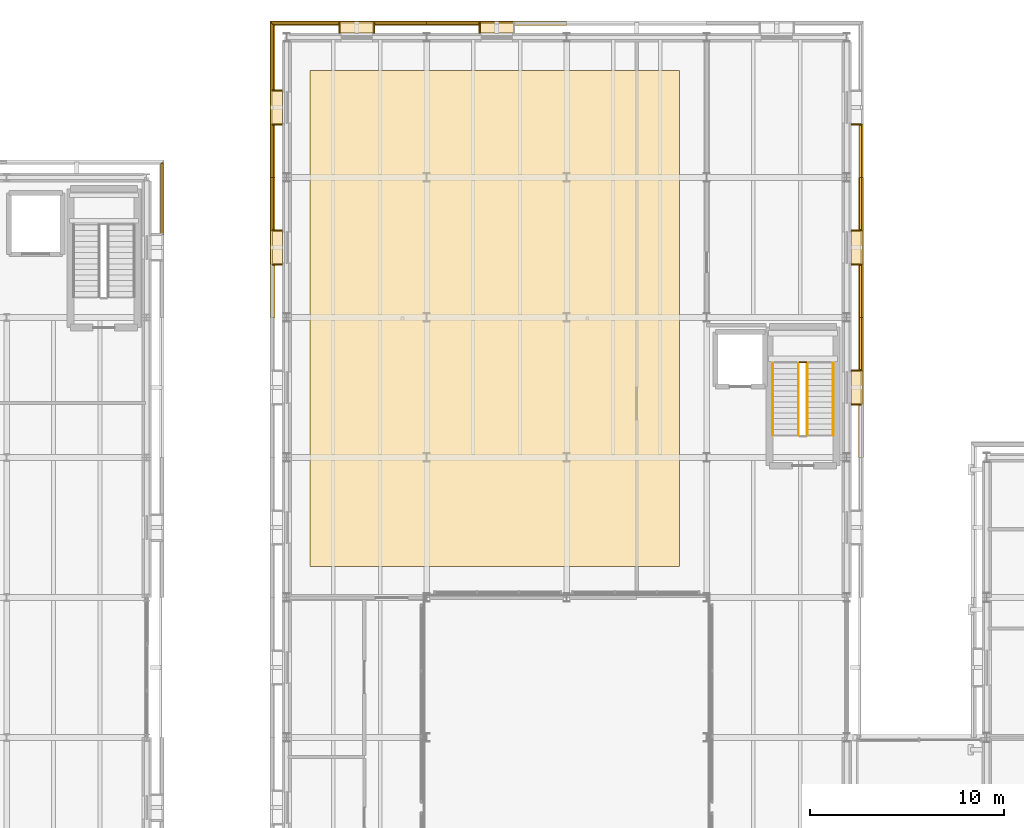
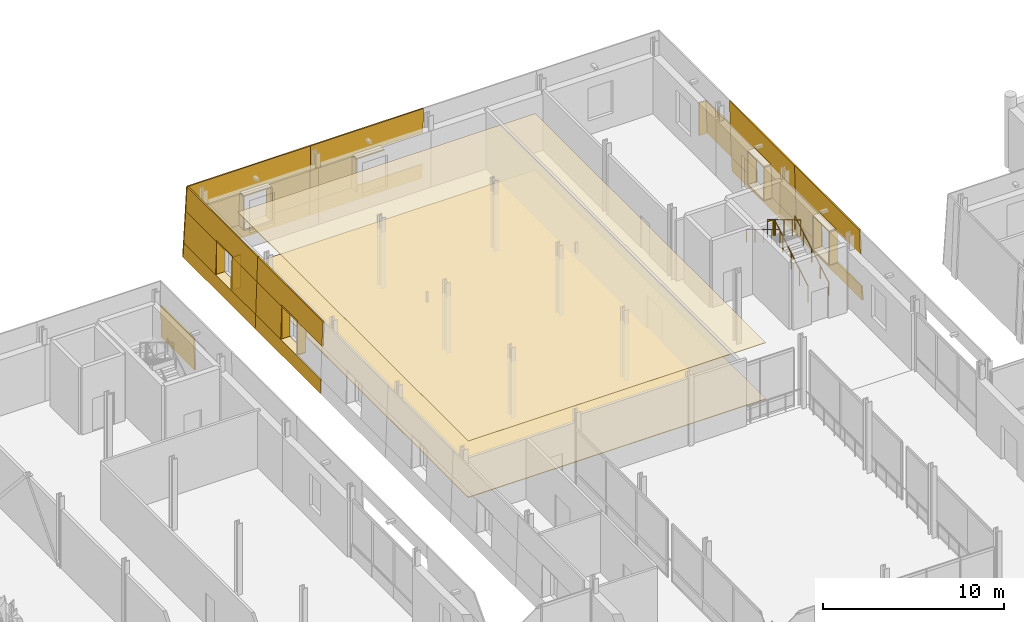
# One storey, part 111 of 121: 48 coverings, 5 railings.
"""IFC4 building model written with IfcOpenShell, lengths in metres."""

import ifcopenshell
import ifcopenshell.guid

model = None  # the IFC model being written
_history = None  # IfcOwnerHistory: only IFC2X3 demands one
_inside = {}  # id of a spatial element -> (the spatial element, [elements in it])
_under = {}  # id of a project, library or spatial element -> (it, [spatial elements below it])
_declared = {}  # id of a project -> (the project, [libraries it declares])
_typed = {}  # id of a type object -> (the type object, [elements of that type])
_made_of = {}  # id of a material, layer set ... -> (it, [elements and type objects made of it])


def new_model(schema):
    """Start an empty IFC model of exactly this schema.

    Asked for "IFC4X3", IfcOpenShell would pick the latest addendum, in which some entities
    have other attributes; the version numbers below select the first issue.
    IFC2X3 requires an IfcOwnerHistory on every rooted entity: one is made here for all.
    """
    global model, _history
    if schema == "IFC4X3":
        model = ifcopenshell.file(schema_version=(4, 3, 0, 0))
    else:
        model = ifcopenshell.file(schema=schema)
    _inside.clear()
    _under.clear()
    _declared.clear()
    _typed.clear()
    _made_of.clear()
    _history = None
    if model.schema == "IFC2X3":
        org = make("IfcOrganization", Name="unknown")
        user = make(
            "IfcPersonAndOrganization",
            ThePerson=make("IfcPerson", FamilyName="unknown"),
            TheOrganization=org,
        )
        app = make(
            "IfcApplication",
            ApplicationDeveloper=org,
            Version="unknown",
            ApplicationFullName="unknown",
            ApplicationIdentifier="unknown",
        )
        _history = make(
            "IfcOwnerHistory",
            OwningUser=user,
            OwningApplication=app,
            ChangeAction="ADDED",
            CreationDate=0,
        )
    return model


def make(cls, **values):
    """One entity of the class cls with the attributes given. An attribute that is None is left unset."""
    return model.create_entity(
        cls, **{name: value for name, value in values.items() if value is not None}
    )


def rooted(cls, **values):
    """An entity with a GlobalId (a new one), such as an element, a storey or a relation."""
    return make(cls, GlobalId=ifcopenshell.guid.new(), OwnerHistory=_history, **values)


def si_unit(unit_type, name, prefix=None):
    """IfcSIUnit, for example si_unit("LENGTHUNIT", "METRE", prefix="MILLI")."""
    return make("IfcSIUnit", UnitType=unit_type, Prefix=prefix, Name=name)


def assignment(units):
    """IfcUnitAssignment: the units of a project."""
    return None if units is None else make("IfcUnitAssignment", Units=units)


def point(xyz):
    """IfcCartesianPoint."""
    return None if xyz is None else make("IfcCartesianPoint", Coordinates=xyz)


def direction(xyz):
    """IfcDirection."""
    return None if xyz is None else make("IfcDirection", DirectionRatios=xyz)


def frame(location, z_axis=None, x_axis=None):
    """IfcAxis2Placement3D, a coordinate frame: its origin and axes. An axis left out is left unset."""
    return make(
        "IfcAxis2Placement3D",
        Location=point(location),
        Axis=direction(z_axis),
        RefDirection=direction(x_axis),
    )


def frame_2d(location, x_axis=None):
    """IfcAxis2Placement2D, a coordinate frame in the plane: its origin and x axis."""
    return make(
        "IfcAxis2Placement2D", Location=point(location), RefDirection=direction(x_axis)
    )


def origin():
    """The frame at (0, 0, 0) with its axes left unset."""
    return frame((0.0, 0.0, 0.0))


def origin_2d():
    """The frame at (0, 0) in the plane with its x axis left unset."""
    return frame_2d((0.0, 0.0))


def place(relative_to, where):
    """IfcLocalPlacement: puts the frame where relative to a parent placement (None: the world)."""
    return make(
        "IfcLocalPlacement", PlacementRelTo=relative_to, RelativePlacement=where
    )


def context(
    kind, dimensions, precision=None, world=None, true_north=None, identifier=None
):
    """IfcGeometricRepresentationContext, for example the 3D "Model" context."""
    return make(
        "IfcGeometricRepresentationContext",
        ContextIdentifier=identifier,
        ContextType=kind,
        CoordinateSpaceDimension=dimensions,
        Precision=precision,
        WorldCoordinateSystem=world,
        TrueNorth=true_north,
    )


def subcontext(parent, identifier, kind, view, scale=None):
    """IfcGeometricRepresentationSubContext, for example "Body" below "Model"."""
    return make(
        "IfcGeometricRepresentationSubContext",
        ContextIdentifier=identifier,
        ContextType=kind,
        ParentContext=parent,
        TargetScale=scale,
        TargetView=view,
    )


def project(units=None, contexts=None):
    """IfcProject with its units and contexts."""
    return rooted(
        "IfcProject",
        Name="project",
        RepresentationContexts=contexts,
        UnitsInContext=assignment(units),
    )


def spatial(cls, under=None, at=None, **own):
    """A site, building, storey or space (cls), placed at a placement, below another one or the project."""
    s = rooted(cls, ObjectPlacement=at, **own)
    if under is not None:
        _under.setdefault(under.id(), (under, []))[1].append(s)
    return s


def polyline(points):
    """IfcPolyline through the points."""
    return make("IfcPolyline", Points=[point(p) for p in points])


def profile(cls, at=None, kind="AREA", **sizes):
    """A parametric profile (cls). Its sizes go by their IFC names, for example OverallWidth=200.0."""
    return make(cls, ProfileType=kind, Position=at, **sizes)


def circle(**sizes):
    """IfcCircleProfileDef."""
    return profile("IfcCircleProfileDef", **sizes)


def outline(outer, holes=None, kind="AREA"):
    """IfcArbitraryClosedProfileDef: a profile drawn as a closed curve; with holes, ...WithVoids."""
    if holes is None:
        return make("IfcArbitraryClosedProfileDef", ProfileType=kind, OuterCurve=outer)
    return make(
        "IfcArbitraryProfileDefWithVoids",
        ProfileType=kind,
        OuterCurve=outer,
        InnerCurves=holes,
    )


def extrude(swept, where, along, depth):
    """IfcExtrudedAreaSolid: the profile swept, set in the frame where, extruded along a direction by depth."""
    return make(
        "IfcExtrudedAreaSolid",
        SweptArea=swept,
        Position=where,
        ExtrudedDirection=direction(along),
        Depth=depth,
    )


def shape(context_of_items, identifier, shape_type, items):
    """IfcShapeRepresentation: the items that make up one representation, for example the "Body"."""
    return make(
        "IfcShapeRepresentation",
        ContextOfItems=context_of_items,
        RepresentationIdentifier=identifier,
        RepresentationType=shape_type,
        Items=items,
    )


def material(Name=None, Category=None):
    """IfcMaterial."""
    return make("IfcMaterial", Name=Name, Category=Category)


def layer(
    of_material, thickness, ventilated=None, Name=None, Category=None, Priority=None
):
    """IfcMaterialLayer: one layer of a wall or slab, of a material (None: an air gap)."""
    return make(
        "IfcMaterialLayer",
        Material=of_material,
        LayerThickness=thickness,
        IsVentilated=ventilated,
        Name=Name,
        Category=Category,
        Priority=Priority,
    )


def layer_set(layers, Name=None):
    """IfcMaterialLayerSet."""
    return make("IfcMaterialLayerSet", MaterialLayers=layers, LayerSetName=Name)


def made_of(thing, what):
    """Note that an element or type object is made of a material, layer set ...; save() writes the relation."""
    if what is not None:
        _made_of.setdefault(what.id(), (what, []))[1].append(thing)
    return thing


def type_object(cls, material=None, **own):
    """A type object (cls), such as IfcWallType, which elements share."""
    return made_of(rooted(cls, **own), material)


def element(
    cls,
    number,
    at=None,
    inside=None,
    cuts=None,
    type_object=None,
    material=None,
    context=None,
    identifier="Body",
    shape_type=None,
    held_by="IfcProductDefinitionShape",
    body=None,
    shapes=None,
    **own,
):
    """One element of the class cls, such as IfcWall. Its Tag is "e" and its number.

    at: its placement. inside: the storey or other place that contains it. cuts: it is an
    opening in that element (IfcRelVoidsElement). A single representation is given by context,
    identifier, shape_type and body (its items); several are given by shapes. held_by: the class
    of the entity that holds the representations. save() writes the other relations.
    """
    e = rooted(cls, Tag="e%d" % number, ObjectPlacement=at, **own)
    if body is not None:
        shapes = [shape(context, identifier, shape_type, body)]
    if shapes is not None:
        e.Representation = make(held_by, Representations=shapes)
    if inside is not None:
        _inside.setdefault(inside.id(), (inside, []))[1].append(e)
    if cuts is not None:
        rooted(
            "IfcRelVoidsElement", RelatingBuildingElement=cuts, RelatedOpeningElement=e
        )
    if type_object is not None:
        _typed.setdefault(type_object.id(), (type_object, []))[1].append(e)
    return made_of(e, material)


def aggregate(whole, parts):
    """IfcRelAggregates: a whole, such as a stair, and the parts it consists of."""
    return rooted("IfcRelAggregates", RelatingObject=whole, RelatedObjects=parts)


def save(model, path):
    """Write the relations noted so far, then the file.

    IfcRelAggregates (storeys below a building ...), IfcRelContainedInSpatialStructure (elements
    in a storey), IfcRelDefinesByType, IfcRelAssociatesMaterial and IfcRelDeclares: one each for
    every whole, place, type object, material and project.
    """
    for whole, parts in _under.values():
        aggregate(whole, parts)
    for where, things in _inside.values():
        rooted(
            "IfcRelContainedInSpatialStructure",
            RelatedElements=things,
            RelatingStructure=where,
        )
    for kind, things in _typed.values():
        rooted("IfcRelDefinesByType", RelatedObjects=things, RelatingType=kind)
    for what, things in _made_of.values():
        rooted("IfcRelAssociatesMaterial", RelatedObjects=things, RelatingMaterial=what)
    for by, libraries in _declared.values():
        rooted("IfcRelDeclares", RelatingContext=by, RelatedDefinitions=libraries)
    model.write(path)


model = new_model("IFC4")

# Units and contexts
model_context = context("Model", 3, precision=1e-05, world=origin(), true_north=direction((0.0, 1.0)))
body_context = subcontext(model_context, "Body", "Model", "MODEL_VIEW")
ifc_project = project(units=[si_unit("LENGTHUNIT", "METRE"), si_unit("AREAUNIT", "SQUARE_METRE"), si_unit("VOLUMEUNIT", "CUBIC_METRE"), si_unit("PLANEANGLEUNIT", "RADIAN"), si_unit("MASSUNIT", "GRAM", prefix="KILO")], contexts=[model_context])

# Site, building, storey
site_placement = place(None, origin())
site = spatial("IfcSite", under=ifc_project, at=site_placement, CompositionType="ELEMENT")
building_placement = place(site_placement, origin())
building = spatial("IfcBuilding", under=site, at=building_placement, Name="Narikvali Park Central Library", CompositionType="ELEMENT")
storey_placement = place(building_placement, frame((0.0, 0.0, 5.39990234375)))
storey = spatial("IfcBuildingStorey", under=building, at=storey_placement, Name="L01", CompositionType="ELEMENT", Elevation=5.39990234375)

# Coverings
ifc_material_1 = material(Name="White Honed Limestone Cladding", Category="masonry")
ifc_layer_1 = layer(ifc_material_1, 0.0849609375, Name="White Honed Limestone Cladding")
ifc_layer_set_1 = layer_set([ifc_layer_1], Name="White Honed Limestone Cladding")
covering_type_1 = type_object("IfcCoveringType", Name="Battered White Limestone Facade Cladding Panel", PredefinedType="CLADDING", material=ifc_layer_set_1)
covering_1_placement = place(storey_placement, frame((58.4580078125, 93.60009765625, 0.0), z_axis=(0.999434023877, 0.0, 0.033639737186), x_axis=(0.0, 1.0, 0.0)))
element("IfcCovering", 1, at=covering_1_placement, inside=storey, type_object=covering_type_1, Name="V4 L01 E Battered Limestone Spandrel B07", PredefinedType="CLADDING", context=body_context, shape_type="SweptSolid", body=[
    extrude(outline(polyline([(0.0, 0.0), (7.199951171875, 0.0), (7.199951171875, 0.9507334049069504), (0.0, 0.9507334049069504), (0.0, 0.0)])), origin(), (0.0, 0.0, -1.0), 0.0849609375),
])
covering_2_placement = place(storey_placement, frame((58.35205078125, 93.60009765625, 3.150146484375), z_axis=(0.999431366072, 0.0, 0.033718607793), x_axis=(0.0, 1.0, 0.0)))
element("IfcCovering", 2, at=covering_2_placement, inside=storey, type_object=covering_type_1, Name="V4 L01 E Battered Limestone Lintel B07", PredefinedType="CLADDING", context=body_context, shape_type="SweptSolid", body=[
    extrude(outline(polyline([(0.0, 0.0), (7.199951171875, 0.0), (7.199951171875, 1.6508410679910248), (0.0, 1.6508410679910248), (0.0, 0.0)])), origin(), (0.0, 0.0, -1.0), 0.0849609375),
])
covering_3_placement = place(storey_placement, frame((58.426025390625, 98.0400390625, 0.9501953125), z_axis=(0.999435139525, 0.0, 0.033606574995), x_axis=(0.0, 1.0, 0.0)))
element("IfcCovering", 3, at=covering_3_placement, inside=storey, type_object=covering_type_1, Name="V4 L01 E Battered Limestone Jamb Pier R B07", PredefinedType="CLADDING", context=body_context, shape_type="SweptSolid", body=[
    extrude(outline(polyline([(0.0, 0.0), (2.760009765625, 0.0), (2.760009765625, 2.201194539668489), (0.0, 2.201194539668489), (0.0, 0.0)])), origin(), (0.0, 0.0, -1.0), 0.0849609375),
])
covering_4_placement = place(storey_placement, frame((58.4580078125, 100.800048828125, 0.0), z_axis=(0.999434023877, 0.0, 0.033639737186), x_axis=(0.0, 1.0, 0.0)))
element("IfcCovering", 4, at=covering_4_placement, inside=storey, type_object=covering_type_1, Name="V4 L01 E Battered Limestone Spandrel B08", PredefinedType="CLADDING", context=body_context, shape_type="SweptSolid", body=[
    extrude(outline(polyline([(0.0, 0.0), (7.199951171875, 0.0), (7.199951171875, 0.9507334049069504), (0.0, 0.9507334049069504), (0.0, 0.0)])), origin(), (0.0, 0.0, -1.0), 0.0849609375),
])
covering_5_placement = place(storey_placement, frame((58.35205078125, 100.800048828125, 3.150146484375), z_axis=(0.999431366072, 0.0, 0.033718607793), x_axis=(0.0, 1.0, 0.0)))
element("IfcCovering", 5, at=covering_5_placement, inside=storey, type_object=covering_type_1, Name="V4 L01 E Battered Limestone Lintel B08", PredefinedType="CLADDING", context=body_context, shape_type="SweptSolid", body=[
    extrude(outline(polyline([(0.0, 0.0), (7.199951171875, 0.0), (7.199951171875, 1.6508410679910248), (0.0, 1.6508410679910248), (0.0, 0.0)])), origin(), (0.0, 0.0, -1.0), 0.0849609375),
])
for number, where, z_axis, x_axis, name in (
    (6, (58.426025390625, 100.800048828125, 0.9501953125), (0.999435139525, 0.0, 0.033606574995), (0.0, 1.0, 0.0), "V4 L01 E Battered Limestone Jamb Pier L B08"),
    (7, (58.426025390625, 105.239990234375, 0.9501953125), (0.999435139525, 0.0, 0.033606574995), (0.0, 1.0, 0.0), "V4 L01 E Battered Limestone Jamb Pier R B08"),
    (8, (58.426025390625, 108.0, 0.9501953125), (0.999435139525, 0.0, 0.033606574995), (0.0, 1.0, 0.0), "V4 L01 E Battered Limestone Jamb Pier L B09"),
):
    element("IfcCovering", number, at=place(storey_placement, frame(where, z_axis=z_axis, x_axis=x_axis)), inside=storey, type_object=covering_type_1, Name=name, PredefinedType="CLADDING", context=body_context, shape_type="SweptSolid", body=[
        extrude(outline(polyline([(0.0, 0.0), (2.760009765625, 0.0), (2.760009765625, 2.201194539668489), (0.0, 2.201194539668489), (0.0, 0.0)])), origin(), (0.0, 0.0, -1.0), 0.0849609375),
    ])
covering_6_placement = place(storey_placement, frame((43.199951171875, 116.05810546875, 0.0), z_axis=(0.0, 0.999434023877, 0.033639737186), x_axis=(-1.0, 0.0, 0.0)))
element("IfcCovering", 9, at=covering_6_placement, inside=storey, type_object=covering_type_1, Name="V4 L01 N Battered Limestone Spandrel B03", PredefinedType="CLADDING", context=body_context, shape_type="SweptSolid", body=[
    extrude(outline(polyline([(0.0, 0.0), (7.199951171875, 0.0), (7.199951171875, 0.9507334049069504), (0.0, 0.9507334049069504), (0.0, 0.0)])), origin(), (0.0, 0.0, -1.0), 0.0849609375),
])
covering_7_placement = place(storey_placement, frame((43.199951171875, 115.951904296875, 3.150146484375), z_axis=(0.0, 0.999436338943, 0.0335708862), x_axis=(-1.0, 0.0, 0.0)))
element("IfcCovering", 10, at=covering_7_placement, inside=storey, type_object=covering_type_1, Name="V4 L01 N Battered Limestone Lintel B03", PredefinedType="CLADDING", context=body_context, shape_type="SweptSolid", body=[
    extrude(outline(polyline([(0.0, 0.0), (7.199951171875, 0.0), (7.199951171875, 1.6508328539414203), (0.0, 1.6508328539414203), (0.0, 0.0)])), origin(), (0.0, 0.0, -1.0), 0.0849609375),
])
covering_8_placement = place(storey_placement, frame((38.760009765625, 116.026123046875, 0.9501953125), z_axis=(0.0, 0.999431408105, 0.033717361898), x_axis=(-1.0, 0.0, 0.0)))
element("IfcCovering", 11, at=covering_8_placement, inside=storey, type_object=covering_type_1, Name="V4 L01 N Battered Limestone Jamb Pier R B03", PredefinedType="CLADDING", context=body_context, shape_type="SweptSolid", body=[
    extrude(outline(polyline([(0.0, 0.0), (2.760009765625, 0.0), (2.760009765625, 2.2012027579225295), (0.0, 2.2012027579225295), (0.0, 0.0)])), origin(), (0.0, 0.0, -1.0), 0.0849609375),
])
covering_9_placement = place(storey_placement, frame((36.0, 116.05810546875, 0.0), z_axis=(0.0, 0.999434023877, 0.033639737186), x_axis=(-1.0, 0.0, 0.0)))
element("IfcCovering", 12, at=covering_9_placement, inside=storey, type_object=covering_type_1, Name="V4 L01 N Battered Limestone Spandrel B04", PredefinedType="CLADDING", context=body_context, shape_type="SweptSolid", body=[
    extrude(outline(polyline([(0.0, 0.0), (8.05810546875, 0.0), (8.026123046875, 0.9507334049069504), (0.0, 0.9507334049069504), (0.0, 0.0)])), origin(), (0.0, 0.0, -1.0), 0.0849609375),
])
covering_10_placement = place(storey_placement, frame((36.0, 115.951904296875, 3.150146484375), z_axis=(0.0, 0.999436338943, 0.0335708862), x_axis=(-1.0, 0.0, 0.0)))
element("IfcCovering", 13, at=covering_10_placement, inside=storey, type_object=covering_type_1, Name="V4 L01 N Battered Limestone Lintel B04", PredefinedType="CLADDING", context=body_context, shape_type="SweptSolid", body=[
    extrude(outline(polyline([(0.0, 0.0), (7.951904296875, 0.0), (7.896484375, 1.65083285394142), (0.0, 1.65083285394142), (0.0, 0.0)])), origin(), (0.0, 0.0, -1.0), 0.0849609375),
])
covering_11_placement = place(storey_placement, frame((36.0, 116.026123046875, 0.9501953125), z_axis=(0.0, 0.999431408105, 0.033717361898), x_axis=(-1.0, 0.0, 0.0)))
element("IfcCovering", 14, at=covering_11_placement, inside=storey, type_object=covering_type_1, Name="V4 L01 N Battered Limestone Jamb Pier L B04", PredefinedType="CLADDING", context=body_context, shape_type="SweptSolid", body=[
    extrude(outline(polyline([(0.0, 0.0), (2.760009765625, 0.0), (2.760009765625, 2.2012027579225295), (0.0, 2.2012027579225295), (0.0, 0.0)])), origin(), (0.0, 0.0, -1.0), 0.0849609375),
])
covering_12_placement = place(storey_placement, frame((31.56005859375, 116.026123046875, 0.9501953125), z_axis=(0.0, 0.999431408105, 0.033717361898), x_axis=(-1.0, 0.0, 0.0)))
element("IfcCovering", 15, at=covering_12_placement, inside=storey, type_object=covering_type_1, Name="V4 L01 N Battered Limestone Jamb Pier R B04", PredefinedType="CLADDING", context=body_context, shape_type="SweptSolid", body=[
    extrude(outline(polyline([(0.0, 0.0), (3.586181640625, 0.0), (3.511962890625, 2.201202757922529), (0.0, 2.201202757922529), (0.0, 0.0)])), origin(), (0.0, 0.0, -1.0), 0.0849609375),
])
covering_13_placement = place(storey_placement, frame((27.94189453125, 115.97314453125, 0.0), z_axis=(-0.999434023877, 0.0, 0.033639737186), x_axis=(0.0, -1.0, 0.0)))
element("IfcCovering", 16, at=covering_13_placement, inside=storey, type_object=covering_type_1, Name="V4 L01 W Battered Limestone Spandrel B01", PredefinedType="CLADDING", context=body_context, shape_type="SweptSolid", body=[
    extrude(outline(polyline([(0.0, 0.0), (7.97314453125, 0.0), (7.97314453125, 0.9507334049069504), (0.031982421875, 0.9507334049069504), (0.0, 0.0)])), origin(), (0.0, 0.0, -1.0), 0.0849609375),
])
covering_14_placement = place(storey_placement, frame((28.048095703125, 115.866943359375, 3.150146484375), z_axis=(-0.999436338943, 0.0, 0.0335708862), x_axis=(0.0, -1.0, 0.0)))
element("IfcCovering", 17, at=covering_14_placement, inside=storey, type_object=covering_type_1, Name="V4 L01 W Battered Limestone Lintel B01", PredefinedType="CLADDING", context=body_context, shape_type="SweptSolid", body=[
    extrude(outline(polyline([(0.0, 0.0), (7.866943359375, 0.0), (7.866943359375, 1.6508328539414203), (0.0556640625, 1.6508328539414203), (0.0, 0.0)])), origin(), (0.0, 0.0, -1.0), 0.0849609375),
])
covering_15_placement = place(storey_placement, frame((27.973876953125, 115.941162109375, 0.9501953125), z_axis=(-0.999431408105, 0.0, 0.033717361898), x_axis=(0.0, -1.0, 0.0)))
element("IfcCovering", 18, at=covering_15_placement, inside=storey, type_object=covering_type_1, Name="V4 L01 W Battered Limestone Jamb Pier L B01", PredefinedType="CLADDING", context=body_context, shape_type="SweptSolid", body=[
    extrude(outline(polyline([(0.0, 0.0), (3.501220703125, 0.0), (3.501220703125, 2.2012027579225295), (0.07421875, 2.2012027579225295), (0.0, 0.0)])), origin(), (0.0, 0.0, -1.0), 0.0849609375),
])
covering_16_placement = place(storey_placement, frame((27.973876953125, 110.760009765625, 0.9501953125), z_axis=(-0.999431408105, 0.0, 0.033717361898), x_axis=(0.0, -1.0, 0.0)))
element("IfcCovering", 19, at=covering_16_placement, inside=storey, type_object=covering_type_1, Name="V4 L01 W Battered Limestone Jamb Pier R B01", PredefinedType="CLADDING", context=body_context, shape_type="SweptSolid", body=[
    extrude(outline(polyline([(0.0, 0.0), (2.760009765625, 0.0), (2.760009765625, 2.2012027579225295), (0.0, 2.2012027579225295), (0.0, 0.0)])), origin(), (0.0, 0.0, -1.0), 0.0849609375),
])
covering_17_placement = place(storey_placement, frame((27.94189453125, 108.0, 0.0), z_axis=(-0.999434023877, 0.0, 0.033639737186), x_axis=(0.0, -1.0, 0.0)))
element("IfcCovering", 20, at=covering_17_placement, inside=storey, type_object=covering_type_1, Name="V4 L01 W Battered Limestone Spandrel B02", PredefinedType="CLADDING", context=body_context, shape_type="SweptSolid", body=[
    extrude(outline(polyline([(0.0, 0.0), (7.199951171875, 0.0), (7.199951171875, 0.9507334049069504), (0.0, 0.9507334049069504), (0.0, 0.0)])), origin(), (0.0, 0.0, -1.0), 0.0849609375),
])
covering_18_placement = place(storey_placement, frame((28.048095703125, 108.0, 3.150146484375), z_axis=(-0.999436338943, 0.0, 0.0335708862), x_axis=(0.0, -1.0, 0.0)))
element("IfcCovering", 21, at=covering_18_placement, inside=storey, type_object=covering_type_1, Name="V4 L01 W Battered Limestone Lintel B02", PredefinedType="CLADDING", context=body_context, shape_type="SweptSolid", body=[
    extrude(outline(polyline([(0.0, 0.0), (7.199951171875, 0.0), (7.199951171875, 1.6508328539414203), (0.0, 1.6508328539414203), (0.0, 0.0)])), origin(), (0.0, 0.0, -1.0), 0.0849609375),
])
covering_19_placement = place(storey_placement, frame((27.973876953125, 108.0, 0.9501953125), z_axis=(-0.999431408105, 0.0, 0.033717361898), x_axis=(0.0, -1.0, 0.0)))
element("IfcCovering", 22, at=covering_19_placement, inside=storey, type_object=covering_type_1, Name="V4 L01 W Battered Limestone Jamb Pier L B02", PredefinedType="CLADDING", context=body_context, shape_type="SweptSolid", body=[
    extrude(outline(polyline([(0.0, 0.0), (2.760009765625, 0.0), (2.760009765625, 2.2012027579225295), (0.0, 2.2012027579225295), (0.0, 0.0)])), origin(), (0.0, 0.0, -1.0), 0.0849609375),
])
covering_20_placement = place(storey_placement, frame((22.4599609375, 105.0400390625, 0.9501953125), z_axis=(0.99959725493, 0.0, 0.028378300447), x_axis=(0.0, 1.0, 0.0)))
element("IfcCovering", 23, at=covering_20_placement, inside=storey, type_object=covering_type_1, Name="V5 L01 E Battered Limestone Jamb Pier R B11", PredefinedType="CLADDING", context=body_context, shape_type="SweptSolid", body=[
    extrude(outline(polyline([(0.0, 0.0), (3.73486328125, 0.0), (3.673828125, 2.150768555182125), (0.0, 2.150768555182125), (0.0, 0.0)])), origin(), (0.0, 0.0, -1.0), 0.0849609375),
])
ifc_layer_2 = layer(ifc_material_1, 0.080078125, Name="White Honed Limestone Cladding")
ifc_layer_set_2 = layer_set([ifc_layer_2], Name="White Honed Limestone Cladding")
covering_type_2 = type_object("IfcCoveringType", Name="Deep Carved White Limestone Window Reveal", PredefinedType="CLADDING", material=ifc_layer_set_2)
covering_21_placement = place(storey_placement, frame((0.0, 0.0, 3.150146484375)))
element("IfcCovering", 24, at=covering_21_placement, inside=storey, type_object=covering_type_2, Name="Deep Stone Reveal Head V4-RVL-L01-E-B07", PredefinedType="CLADDING", context=body_context, shape_type="SweptSolid", body=[
    extrude(outline(polyline([(57.824951171875, 96.320068359375), (57.824951171875, 98.080078125), (58.35205078125, 98.080078125), (58.35205078125, 96.320068359375), (57.824951171875, 96.320068359375)])), origin(), (0.0, 0.0, 1.0), 0.079833984375),
])
covering_22_placement = place(storey_placement, frame((0.0, 0.0, 0.8701171875)))
element("IfcCovering", 25, at=covering_22_placement, inside=storey, type_object=covering_type_2, Name="Deep Stone Reveal Sill V4-RVL-L01-E-B07", PredefinedType="CLADDING", context=body_context, shape_type="SweptSolid", body=[
    extrude(outline(polyline([(57.824951171875, 96.320068359375), (57.824951171875, 98.080078125), (58.426025390625, 98.080078125), (58.426025390625, 96.320068359375), (57.824951171875, 96.320068359375)])), origin(), (0.0, 0.0, 1.0), 0.080078125),
])
covering_23_placement = place(storey_placement, frame((0.0, 0.0, 0.9501953125)))
element("IfcCovering", 26, at=covering_23_placement, inside=storey, type_object=covering_type_2, Name="Deep Stone Reveal Jamb L V4-RVL-L01-E-B07", PredefinedType="CLADDING", context=body_context, shape_type="SweptSolid", body=[
    extrude(outline(polyline([(57.824951171875, 96.280029296875), (57.824951171875, 96.360107421875), (58.35205078125, 96.360107421875), (58.35205078125, 96.280029296875), (57.824951171875, 96.280029296875)])), origin(), (0.0, 0.0, 1.0), 2.199951171875),
])
covering_24_placement = place(storey_placement, frame((0.0, 0.0, 0.9501953125)))
element("IfcCovering", 27, at=covering_24_placement, inside=storey, type_object=covering_type_2, Name="Deep Stone Reveal Jamb R V4-RVL-L01-E-B07", PredefinedType="CLADDING", context=body_context, shape_type="SweptSolid", body=[
    extrude(outline(polyline([(57.824951171875, 98.0400390625), (57.824951171875, 98.1201171875), (58.35205078125, 98.1201171875), (58.35205078125, 98.0400390625), (57.824951171875, 98.0400390625)])), origin(), (0.0, 0.0, 1.0), 2.199951171875),
])
covering_25_placement = place(storey_placement, frame((0.0, 0.0, 3.150146484375)))
element("IfcCovering", 28, at=covering_25_placement, inside=storey, type_object=covering_type_2, Name="Deep Stone Reveal Head V4-RVL-L01-E-B08", PredefinedType="CLADDING", context=body_context, shape_type="SweptSolid", body=[
    extrude(outline(polyline([(57.824951171875, 103.52001953125), (57.824951171875, 105.280029296875), (58.35205078125, 105.280029296875), (58.35205078125, 103.52001953125), (57.824951171875, 103.52001953125)])), origin(), (0.0, 0.0, 1.0), 0.079833984375),
])
covering_26_placement = place(storey_placement, frame((0.0, 0.0, 0.8701171875)))
element("IfcCovering", 29, at=covering_26_placement, inside=storey, type_object=covering_type_2, Name="Deep Stone Reveal Sill V4-RVL-L01-E-B08", PredefinedType="CLADDING", context=body_context, shape_type="SweptSolid", body=[
    extrude(outline(polyline([(57.824951171875, 103.52001953125), (57.824951171875, 105.280029296875), (58.426025390625, 105.280029296875), (58.426025390625, 103.52001953125), (57.824951171875, 103.52001953125)])), origin(), (0.0, 0.0, 1.0), 0.080078125),
])
covering_27_placement = place(storey_placement, frame((0.0, 0.0, 0.9501953125)))
element("IfcCovering", 30, at=covering_27_placement, inside=storey, type_object=covering_type_2, Name="Deep Stone Reveal Jamb L V4-RVL-L01-E-B08", PredefinedType="CLADDING", context=body_context, shape_type="SweptSolid", body=[
    extrude(outline(polyline([(57.824951171875, 103.47998046875), (57.824951171875, 103.56005859375), (58.35205078125, 103.56005859375), (58.35205078125, 103.47998046875), (57.824951171875, 103.47998046875)])), origin(), (0.0, 0.0, 1.0), 2.199951171875),
])
covering_28_placement = place(storey_placement, frame((0.0, 0.0, 0.9501953125)))
element("IfcCovering", 31, at=covering_28_placement, inside=storey, type_object=covering_type_2, Name="Deep Stone Reveal Jamb R V4-RVL-L01-E-B08", PredefinedType="CLADDING", context=body_context, shape_type="SweptSolid", body=[
    extrude(outline(polyline([(57.824951171875, 105.239990234375), (57.824951171875, 105.320068359375), (58.35205078125, 105.320068359375), (58.35205078125, 105.239990234375), (57.824951171875, 105.239990234375)])), origin(), (0.0, 0.0, 1.0), 2.199951171875),
])
covering_29_placement = place(storey_placement, frame((0.0, 0.0, 0.9501953125)))
element("IfcCovering", 32, at=covering_29_placement, inside=storey, type_object=covering_type_2, Name="Deep Stone Reveal Jamb L V4-RVL-L01-E-B09", PredefinedType="CLADDING", context=body_context, shape_type="SweptSolid", body=[
    extrude(outline(polyline([(57.824951171875, 110.679931640625), (57.824951171875, 110.760009765625), (58.35205078125, 110.760009765625), (58.35205078125, 110.679931640625), (57.824951171875, 110.679931640625)])), origin(), (0.0, 0.0, 1.0), 2.199951171875),
])
covering_30_placement = place(storey_placement, frame((0.0, 0.0, 3.150146484375)))
element("IfcCovering", 33, at=covering_30_placement, inside=storey, type_object=covering_type_2, Name="Deep Stone Reveal Head V4-RVL-L01-N-B03", PredefinedType="CLADDING", context=body_context, shape_type="SweptSolid", body=[
    extrude(outline(polyline([(40.47998046875, 115.425048828125), (38.719970703125, 115.425048828125), (38.719970703125, 115.951904296875), (40.47998046875, 115.951904296875), (40.47998046875, 115.425048828125)])), origin(), (0.0, 0.0, 1.0), 0.079833984375),
])
covering_31_placement = place(storey_placement, frame((0.0, 0.0, 0.9501953125)))
element("IfcCovering", 34, at=covering_31_placement, inside=storey, type_object=covering_type_2, Name="Deep Stone Reveal Jamb R V4-RVL-L01-N-B03", PredefinedType="CLADDING", context=body_context, shape_type="SweptSolid", body=[
    extrude(outline(polyline([(38.760009765625, 115.425048828125), (38.679931640625, 115.425048828125), (38.679931640625, 115.951904296875), (38.760009765625, 115.951904296875), (38.760009765625, 115.425048828125)])), origin(), (0.0, 0.0, 1.0), 2.199951171875),
])
covering_32_placement = place(storey_placement, frame((0.0, 0.0, 3.150146484375)))
element("IfcCovering", 35, at=covering_32_placement, inside=storey, type_object=covering_type_2, Name="Deep Stone Reveal Head V4-RVL-L01-N-B04", PredefinedType="CLADDING", context=body_context, shape_type="SweptSolid", body=[
    extrude(outline(polyline([(33.280029296875, 115.425048828125), (31.52001953125, 115.425048828125), (31.52001953125, 115.951904296875), (33.280029296875, 115.951904296875), (33.280029296875, 115.425048828125)])), origin(), (0.0, 0.0, 1.0), 0.079833984375),
])
covering_33_placement = place(storey_placement, frame((0.0, 0.0, 0.8701171875)))
element("IfcCovering", 36, at=covering_33_placement, inside=storey, type_object=covering_type_2, Name="Deep Stone Reveal Sill V4-RVL-L01-N-B04", PredefinedType="CLADDING", context=body_context, shape_type="SweptSolid", body=[
    extrude(outline(polyline([(33.280029296875, 115.425048828125), (31.52001953125, 115.425048828125), (31.52001953125, 116.026123046875), (33.280029296875, 116.026123046875), (33.280029296875, 115.425048828125)])), origin(), (0.0, 0.0, 1.0), 0.080078125),
])
covering_34_placement = place(storey_placement, frame((0.0, 0.0, 0.9501953125)))
element("IfcCovering", 37, at=covering_34_placement, inside=storey, type_object=covering_type_2, Name="Deep Stone Reveal Jamb L V4-RVL-L01-N-B04", PredefinedType="CLADDING", context=body_context, shape_type="SweptSolid", body=[
    extrude(outline(polyline([(33.320068359375, 115.425048828125), (33.239990234375, 115.425048828125), (33.239990234375, 115.951904296875), (33.320068359375, 115.951904296875), (33.320068359375, 115.425048828125)])), origin(), (0.0, 0.0, 1.0), 2.199951171875),
])
covering_35_placement = place(storey_placement, frame((0.0, 0.0, 0.9501953125)))
element("IfcCovering", 38, at=covering_35_placement, inside=storey, type_object=covering_type_2, Name="Deep Stone Reveal Jamb R V4-RVL-L01-N-B04", PredefinedType="CLADDING", context=body_context, shape_type="SweptSolid", body=[
    extrude(outline(polyline([(31.56005859375, 115.425048828125), (31.47998046875, 115.425048828125), (31.47998046875, 115.951904296875), (31.56005859375, 115.951904296875), (31.56005859375, 115.425048828125)])), origin(), (0.0, 0.0, 1.0), 2.199951171875),
])
covering_36_placement = place(storey_placement, frame((0.0, 0.0, 3.150146484375)))
element("IfcCovering", 39, at=covering_36_placement, inside=storey, type_object=covering_type_2, Name="Deep Stone Reveal Head V4-RVL-L01-W-B01", PredefinedType="CLADDING", context=body_context, shape_type="SweptSolid", body=[
    extrude(outline(polyline([(28.574951171875, 112.47998046875), (28.574951171875, 110.719970703125), (28.048095703125, 110.719970703125), (28.048095703125, 112.47998046875), (28.574951171875, 112.47998046875)])), origin(), (0.0, 0.0, 1.0), 0.079833984375),
])
covering_37_placement = place(storey_placement, frame((0.0, 0.0, 0.8701171875)))
element("IfcCovering", 40, at=covering_37_placement, inside=storey, type_object=covering_type_2, Name="Deep Stone Reveal Sill V4-RVL-L01-W-B01", PredefinedType="CLADDING", context=body_context, shape_type="SweptSolid", body=[
    extrude(outline(polyline([(28.574951171875, 112.47998046875), (28.574951171875, 110.719970703125), (27.973876953125, 110.719970703125), (27.973876953125, 112.47998046875), (28.574951171875, 112.47998046875)])), origin(), (0.0, 0.0, 1.0), 0.080078125),
])
covering_38_placement = place(storey_placement, frame((0.0, 0.0, 0.9501953125)))
element("IfcCovering", 41, at=covering_38_placement, inside=storey, type_object=covering_type_2, Name="Deep Stone Reveal Jamb L V4-RVL-L01-W-B01", PredefinedType="CLADDING", context=body_context, shape_type="SweptSolid", body=[
    extrude(outline(polyline([(28.574951171875, 112.52001953125), (28.574951171875, 112.43994140625), (28.048095703125, 112.43994140625), (28.048095703125, 112.52001953125), (28.574951171875, 112.52001953125)])), origin(), (0.0, 0.0, 1.0), 2.199951171875),
])
covering_39_placement = place(storey_placement, frame((0.0, 0.0, 0.9501953125)))
element("IfcCovering", 42, at=covering_39_placement, inside=storey, type_object=covering_type_2, Name="Deep Stone Reveal Jamb R V4-RVL-L01-W-B01", PredefinedType="CLADDING", context=body_context, shape_type="SweptSolid", body=[
    extrude(outline(polyline([(28.574951171875, 110.760009765625), (28.574951171875, 110.679931640625), (28.048095703125, 110.679931640625), (28.048095703125, 110.760009765625), (28.574951171875, 110.760009765625)])), origin(), (0.0, 0.0, 1.0), 2.199951171875),
])
covering_40_placement = place(storey_placement, frame((0.0, 0.0, 3.150146484375)))
element("IfcCovering", 43, at=covering_40_placement, inside=storey, type_object=covering_type_2, Name="Deep Stone Reveal Head V4-RVL-L01-W-B02", PredefinedType="CLADDING", context=body_context, shape_type="SweptSolid", body=[
    extrude(outline(polyline([(28.574951171875, 105.280029296875), (28.574951171875, 103.52001953125), (28.048095703125, 103.52001953125), (28.048095703125, 105.280029296875), (28.574951171875, 105.280029296875)])), origin(), (0.0, 0.0, 1.0), 0.079833984375),
])
covering_41_placement = place(storey_placement, frame((0.0, 0.0, 0.8701171875)))
element("IfcCovering", 44, at=covering_41_placement, inside=storey, type_object=covering_type_2, Name="Deep Stone Reveal Sill V4-RVL-L01-W-B02", PredefinedType="CLADDING", context=body_context, shape_type="SweptSolid", body=[
    extrude(outline(polyline([(28.574951171875, 105.280029296875), (28.574951171875, 103.52001953125), (27.973876953125, 103.52001953125), (27.973876953125, 105.280029296875), (28.574951171875, 105.280029296875)])), origin(), (0.0, 0.0, 1.0), 0.080078125),
])
covering_42_placement = place(storey_placement, frame((0.0, 0.0, 0.9501953125)))
element("IfcCovering", 45, at=covering_42_placement, inside=storey, type_object=covering_type_2, Name="Deep Stone Reveal Jamb L V4-RVL-L01-W-B02", PredefinedType="CLADDING", context=body_context, shape_type="SweptSolid", body=[
    extrude(outline(polyline([(28.574951171875, 105.320068359375), (28.574951171875, 105.239990234375), (28.048095703125, 105.239990234375), (28.048095703125, 105.320068359375), (28.574951171875, 105.320068359375)])), origin(), (0.0, 0.0, 1.0), 2.199951171875),
])
covering_43_placement = place(storey_placement, frame((0.0, 0.0, 0.9501953125)))
element("IfcCovering", 46, at=covering_43_placement, inside=storey, type_object=covering_type_2, Name="Deep Stone Reveal Jamb R V4-RVL-L01-W-B02", PredefinedType="CLADDING", context=body_context, shape_type="SweptSolid", body=[
    extrude(outline(polyline([(28.574951171875, 103.56005859375), (28.574951171875, 103.47998046875), (28.048095703125, 103.47998046875), (28.048095703125, 103.56005859375), (28.574951171875, 103.56005859375)])), origin(), (0.0, 0.0, 1.0), 2.199951171875),
])
ifc_material_2 = material(Name="Acoustic Mineral Fibre Board")
ifc_layer_3 = layer(ifc_material_2, 0.034912109375, Name="Acoustic Mineral Fibre Board")
ifc_layer_set_3 = layer_set([ifc_layer_3], Name="Acoustic Mineral Fibre Board")
covering_type_3 = type_object("IfcCoveringType", Name="Mineral Fibre Reading Room Ceiling", PredefinedType="CEILING", material=ifc_layer_set_3)
covering_44_placement = place(storey_placement, frame((0.0, 0.0, 3.80517578125)))
element("IfcCovering", 47, at=covering_44_placement, inside=storey, type_object=covering_type_3, Name="V4 L01 Acoustic Suspended Ceiling 05", PredefinedType="CEILING", context=body_context, shape_type="SweptSolid", body=[
    extrude(outline(polyline([(30.0, 88.0), (49.0, 88.0), (49.0, 113.5), (30.0, 113.5), (30.0, 88.0)])), origin(), (0.0, 0.0, 1.0), 0.034912109375),
])
ifc_material_3 = material(Name="Polished Georgian Basalt Terrazzo", Category="masonry")
ifc_layer_4 = layer(ifc_material_3, 0.0400390625, Name="Polished Georgian Basalt Terrazzo")
ifc_layer_set_4 = layer_set([ifc_layer_4], Name="Polished Georgian Basalt Terrazzo")
covering_type_4 = type_object("IfcCoveringType", Name="Polished Basalt Terrazzo Floor Finish", PredefinedType="FLOORING", material=ifc_layer_set_4)
covering_45_placement = place(storey_placement, origin())
element("IfcCovering", 48, at=covering_45_placement, inside=storey, type_object=covering_type_4, Name="V4 L01 Basalt Terrazzo Flooring 05", PredefinedType="FLOORING", context=body_context, shape_type="SweptSolid", body=[
    extrude(outline(polyline([(30.0, 88.0), (49.0, 88.0), (49.0, 113.5), (30.0, 113.5), (30.0, 88.0)])), origin(), (0.0, 0.0, 1.0), 0.0400390625),
])

# Railings
ifc_material_4 = material(Name="Brushed Stainless Steel S355", Category="steel")
ifc_layer_5 = layer(ifc_material_4, 0.044921875, Name="Brushed Stainless Steel S355")
ifc_layer_set_5 = layer_set([ifc_layer_5], Name="Brushed Stainless Steel S355")
railing_type_1 = type_object("IfcRailingType", Name="Stair Tubular Steel Handrail 900", PredefinedType="HANDRAIL", material=ifc_layer_set_5)
railing_1_placement = place(storey_placement, frame((56.89990234375, 94.75, 0.171630859375)))
element("IfcRailing", 49, at=railing_1_placement, inside=storey, type_object=railing_type_1, Name="L01 ST-08 stair handrail 1", PredefinedType="HANDRAIL", context=body_context, shape_type="SweptSolid", body=[
    extrude(circle(Radius=0.02392578125, at=origin_2d()), frame((0.0, 0.0, 0.8759765625), z_axis=(0.0, 0.856934400257, 0.515425487977), x_axis=(-1.0, 0.0, 0.0)), (0.0, 0.0, 1.0), 4.32373046875),
    extrude(circle(Radius=0.02099609375, at=origin_2d()), origin(), (0.0, 0.0, 1.0), 0.851806640625),
    extrude(circle(Radius=0.02099609375, at=origin_2d()), frame((0.0, 0.92626953125, 0.55712890625)), (0.0, 0.0, 1.0), 0.851806640625),
    extrude(circle(Radius=0.02099609375, at=origin_2d()), frame((0.0, 1.8525390625, 1.1142578125)), (0.0, 0.0, 1.0), 0.851806640625),
    extrude(circle(Radius=0.02099609375, at=origin_2d()), frame((0.0, 2.77880859375, 1.67138671875)), (0.0, 0.0, 1.0), 0.851806640625),
    extrude(circle(Radius=0.02099609375, at=origin_2d()), frame((0.0, 3.705078125, 2.228515625)), (0.0, 0.0, 1.0), 0.851806640625),
])
railing_2_placement = place(storey_placement, frame((53.800048828125, 98.455078125, 2.571533203125)))
element("IfcRailing", 50, at=railing_2_placement, inside=storey, type_object=railing_type_1, Name="L01 ST-08 stair handrail 2", PredefinedType="HANDRAIL", context=body_context, shape_type="SweptSolid", body=[
    extrude(circle(Radius=0.02392578125, at=origin_2d()), frame((0.0, 0.0, 0.8759765625), z_axis=(0.0, -0.856934400257, 0.515425487977), x_axis=(1.0, 0.0, 0.0)), (0.0, 0.0, 1.0), 4.32373046875),
    extrude(circle(Radius=0.02099609375, at=origin_2d()), origin(), (0.0, 0.0, 1.0), 0.851806640625),
    extrude(circle(Radius=0.02099609375, at=origin_2d()), frame((0.0, -0.92626953125, 0.55712890625)), (0.0, 0.0, 1.0), 0.851806640625),
    extrude(circle(Radius=0.02099609375, at=origin_2d()), frame((0.0, -1.8525390625, 1.1142578125)), (0.0, 0.0, 1.0), 0.851806640625),
    extrude(circle(Radius=0.02099609375, at=origin_2d()), frame((0.0, -2.77880859375, 1.67138671875)), (0.0, 0.0, 1.0), 0.851806640625),
    extrude(circle(Radius=0.02099609375, at=origin_2d()), frame((0.0, -3.705078125, 2.228515625)), (0.0, 0.0, 1.0), 0.851806640625),
])
ifc_material_5 = material(Name="Powder-Coated Steel S275", Category="steel")
ifc_layer_6 = layer(ifc_material_5, 0.050048828125, Name="Powder-Coated Steel S275")
ifc_layer_set_6 = layer_set([ifc_layer_6], Name="Powder-Coated Steel S275")
railing_type_2 = type_object("IfcRailingType", Name="Stair Well Steel Guardrail 1100", PredefinedType="GUARDRAIL", material=ifc_layer_set_6)
railing_3_placement = place(storey_placement, frame((55.580078125, 94.75, 0.171630859375)))
element("IfcRailing", 51, at=railing_3_placement, inside=storey, type_object=railing_type_2, Name="L01 ST-08 stair guard 1", PredefinedType="GUARDRAIL", context=body_context, shape_type="SweptSolid", body=[
    extrude(circle(Radius=0.02392578125, at=origin_2d()), frame((0.0, 0.0, 1.076171875), z_axis=(0.0, 0.856934400257, 0.515425487977), x_axis=(-1.0, 0.0, 0.0)), (0.0, 0.0, 1.0), 4.32373046875),
    extrude(circle(Radius=0.02099609375, at=origin_2d()), origin(), (0.0, 0.0, 1.0), 1.052001953125),
    extrude(circle(Radius=0.02099609375, at=origin_2d()), frame((0.0, 0.92626953125, 0.55712890625)), (0.0, 0.0, 1.0), 1.052001953125),
    extrude(circle(Radius=0.02099609375, at=origin_2d()), frame((0.0, 1.8525390625, 1.1142578125)), (0.0, 0.0, 1.0), 1.052001953125),
    extrude(circle(Radius=0.02099609375, at=origin_2d()), frame((0.0, 2.77880859375, 1.67138671875)), (0.0, 0.0, 1.0), 1.052001953125),
    extrude(circle(Radius=0.02099609375, at=origin_2d()), frame((0.0, 3.705078125, 2.228515625)), (0.0, 0.0, 1.0), 1.052001953125),
])
railing_4_placement = place(storey_placement, frame((55.530029296875, 98.5048828125, 2.400146484375)))
element("IfcRailing", 52, at=railing_4_placement, inside=storey, type_object=railing_type_2, Name="L01 ST-08 stair guard 2", PredefinedType="GUARDRAIL", context=body_context, shape_type="SweptSolid", body=[
    extrude(circle(Radius=0.02392578125, at=origin_2d()), frame((0.0, 0.0, 1.076171875), z_axis=(-1.0, 0.0, 0.0), x_axis=(0.0, -1.0, 0.0)), (0.0, 0.0, 1.0), 0.360107421875),
    extrude(circle(Radius=0.02099609375, at=origin_2d()), origin(), (0.0, 0.0, 1.0), 1.052001953125),
    extrude(circle(Radius=0.02099609375, at=origin_2d()), frame((-0.360107421875, 0.0, 0.0)), (0.0, 0.0, 1.0), 1.052001953125),
])
railing_5_placement = place(storey_placement, frame((55.1201171875, 98.455078125, 2.571533203125)))
element("IfcRailing", 53, at=railing_5_placement, inside=storey, type_object=railing_type_2, Name="L01 ST-08 stair guard 3", PredefinedType="GUARDRAIL", context=body_context, shape_type="SweptSolid", body=[
    extrude(circle(Radius=0.02392578125, at=origin_2d()), frame((0.0, 0.0, 1.076171875), z_axis=(0.0, -0.856934400257, 0.515425487977), x_axis=(1.0, 0.0, 0.0)), (0.0, 0.0, 1.0), 4.32373046875),
    extrude(circle(Radius=0.02099609375, at=origin_2d()), origin(), (0.0, 0.0, 1.0), 1.052001953125),
    extrude(circle(Radius=0.02099609375, at=origin_2d()), frame((0.0, -0.92626953125, 0.55712890625)), (0.0, 0.0, 1.0), 1.052001953125),
    extrude(circle(Radius=0.02099609375, at=origin_2d()), frame((0.0, -1.8525390625, 1.1142578125)), (0.0, 0.0, 1.0), 1.052001953125),
    extrude(circle(Radius=0.02099609375, at=origin_2d()), frame((0.0, -2.77880859375, 1.67138671875)), (0.0, 0.0, 1.0), 1.052001953125),
    extrude(circle(Radius=0.02099609375, at=origin_2d()), frame((0.0, -3.705078125, 2.228515625)), (0.0, 0.0, 1.0), 1.052001953125),
])

save(model, "model.ifc")
